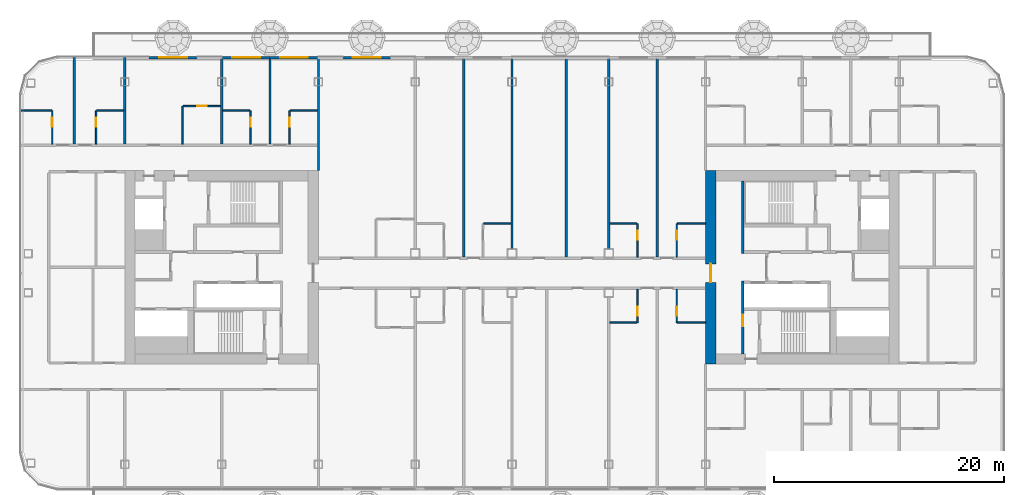
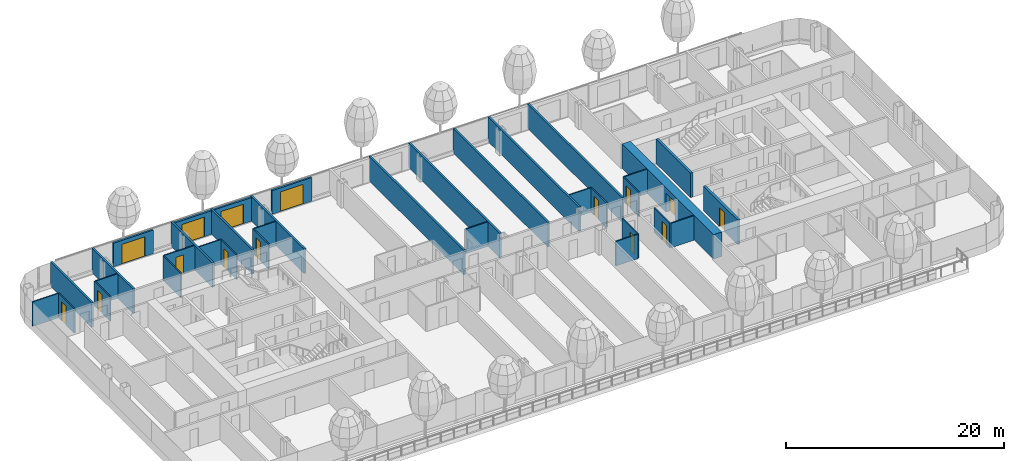
# One storey, part 13 of 30: 36 walls, 15 doors, 15 openings, 1 element without a shape of its own.
"""IFC4 building model written with IfcOpenShell, lengths in metres."""

from ifc_helpers import new_model, si_unit, direction, frame, frame_2d, origin, place, context, subcontext, project, spatial, rectangle, extrude, material, layer, layer_set, type_object, element, fill, aggregate, save


model = new_model("IFC4")

# Units and contexts
model_context = context("Model", 3, precision=1e-05, world=origin(), true_north=direction((0.0, 1.0)))
body_context = subcontext(model_context, "Body", "Model", "MODEL_VIEW")
ifc_project = project(units=[si_unit("LENGTHUNIT", "METRE"), si_unit("AREAUNIT", "SQUARE_METRE"), si_unit("VOLUMEUNIT", "CUBIC_METRE"), si_unit("PLANEANGLEUNIT", "RADIAN"), si_unit("MASSUNIT", "GRAM", prefix="KILO")], contexts=[model_context])

# Site, building, storey
site_placement = place(None, origin())
site = spatial("IfcSite", under=ifc_project, at=site_placement, CompositionType="ELEMENT")
building_placement = place(site_placement, origin())
building = spatial("IfcBuilding", under=site, at=building_placement, Name="Hakoniwa Tower and Hamabe Station Hall", CompositionType="ELEMENT")
storey_placement = place(building_placement, frame((0.0, 0.0, 137.39990234375)))
storey = spatial("IfcBuildingStorey", under=building, at=storey_placement, Name="L38", CompositionType="ELEMENT", Elevation=137.39990234375)

# Walls
ifc_material_1 = material(Name="Gypsum board partition", Category="gypsum")
ifc_layer_1 = layer(ifc_material_1, 0.125)
ifc_layer_set_1 = layer_set([ifc_layer_1], Name="Bathroom Partition 125")
wall_type_1 = type_object("IfcWallType", Name="Bathroom Partition 125", PredefinedType="PARTITIONING", material=ifc_layer_set_1)
wall_1_placement = place(storey_placement, frame((8.5, -4.800048828125, 0.0), z_axis=(0.0, 0.0, 1.0), x_axis=(1.0, 0.0, 0.0)))
element("IfcWall", 1, at=wall_1_placement, inside=storey, type_object=wall_type_1, Name="GW-L38-012", PredefinedType="PARTITIONING", context=body_context, shape_type="SweptSolid", body=[
    extrude(rectangle(XDim=2.33740234375, YDim=0.125, at=frame_2d((1.168701171875, 0.0))), origin(), (0.0, 0.0, 1.0), 2.75),
])
wall_2_placement = place(storey_placement, frame((14.362548828125, -4.800048828125, 0.0), z_axis=(0.0, 0.0, 1.0), x_axis=(1.0, 0.0, 0.0)))
element("IfcWall", 2, at=wall_2_placement, inside=storey, type_object=wall_type_1, Name="GW-L38-013", PredefinedType="PARTITIONING", context=body_context, shape_type="SweptSolid", body=[
    extrude(rectangle(XDim=2.447509765625, YDim=0.125, at=frame_2d((1.2236328125, 0.0))), origin(), (0.0, 0.0, 1.0), 2.75),
])
for number, where, z_axis, x_axis, name in (
    (3, (-2.4375, 3.800048828125, 0.0), (0.0, 0.0, 1.0), (1.0, 0.0, 0.0), "GW-L38-019"),
    (4, (8.5, 3.800048828125, 0.0), (0.0, 0.0, 1.0), (1.0, 0.0, 0.0), "GW-L38-020"),
):
    element("IfcWall", number, at=place(storey_placement, frame(where, z_axis=z_axis, x_axis=x_axis)), inside=storey, type_object=wall_type_1, Name=name, PredefinedType="PARTITIONING", context=body_context, shape_type="SweptSolid", body=[
        extrude(rectangle(XDim=2.33740234375, YDim=0.125, at=frame_2d((1.168701171875, 0.0))), origin(), (0.0, 0.0, 1.0), 2.75),
    ])
wall_3_placement = place(storey_placement, frame((14.362548828125, 3.800048828125, 0.0), z_axis=(0.0, 0.0, 1.0), x_axis=(1.0, 0.0, 0.0)))
element("IfcWall", 5, at=wall_3_placement, inside=storey, type_object=wall_type_1, Name="GW-L38-021", PredefinedType="PARTITIONING", context=body_context, shape_type="SweptSolid", body=[
    extrude(rectangle(XDim=2.447509765625, YDim=0.125, at=frame_2d((1.2236328125, 0.0))), origin(), (0.0, 0.0, 1.0), 2.75),
])
wall_4_placement = place(storey_placement, frame((-42.699951171875, 13.60009765625, 0.0), z_axis=(0.0, 0.0, 1.0), x_axis=(1.0, 0.0, 0.0)))
element("IfcWall", 6, at=wall_4_placement, inside=storey, type_object=wall_type_1, Name="GW-L38-027", PredefinedType="PARTITIONING", context=body_context, shape_type="SweptSolid", body=[
    extrude(rectangle(XDim=2.737548828125, YDim=0.125, at=frame_2d((1.36865234375, 0.0))), origin(), (0.0, 0.0, 1.0), 2.75),
])
for number, where, z_axis, x_axis, name in (
    (7, (-36.03759765625, 13.60009765625, 0.0), (0.0, 0.0, 1.0), (1.0, 0.0, 0.0), "GW-L38-028"),
    (8, (-25.10009765625, 13.60009765625, 0.0), (0.0, 0.0, 1.0), (1.0, 0.0, 0.0), "GW-L38-029"),
    (9, (-19.237548828125, 13.60009765625, 0.0), (0.0, 0.0, 1.0), (1.0, 0.0, 0.0), "GW-L38-030"),
):
    element("IfcWall", number, at=place(storey_placement, frame(where, z_axis=z_axis, x_axis=x_axis)), inside=storey, type_object=wall_type_1, Name=name, PredefinedType="PARTITIONING", context=body_context, shape_type="SweptSolid", body=[
        extrude(rectangle(XDim=2.337646484375, YDim=0.125, at=frame_2d((1.1689453125, 0.0))), origin(), (0.0, 0.0, 1.0), 2.75),
    ])

# Wall, opening, door
wall_5_placement = place(storey_placement, frame((-28.53759765625, 14.0, 0.0), z_axis=(0.0, 0.0, 1.0), x_axis=(1.0, 0.0, 0.0)))
wall_5 = element("IfcWall", 10, at=wall_5_placement, inside=storey, type_object=wall_type_1, Name="GW-L38-033", PredefinedType="PARTITIONING", context=body_context, shape_type="SweptSolid", body=[
    extrude(rectangle(XDim=3.237548828125, YDim=0.125, at=frame_2d((1.61865234375, 0.0))), origin(), (0.0, 0.0, 1.0), 2.75),
])
opening_1_placement = place(wall_5_placement, frame((1.237548828125, 0.0, 0.0)))
opening_1 = element("IfcOpeningElement", 11, at=opening_1_placement, cuts=wall_5, Name="Opening GD-G3C0-44", PredefinedType="OPENING", context=body_context, shape_type="SweptSolid", body=[
    extrude(rectangle(XDim=0.800048828125, YDim=2.10009765625, at=frame_2d((0.39990234375, 1.050048828125))), frame((0.0, 0.072509765625, 0.0), z_axis=(0.0, -1.0, 0.0), x_axis=(1.0, 0.0, 0.0)), (0.0, 0.0, 1.0), 0.14501953125),
])
ifc_material_2 = material(Name="Timber door leaf", Category="wood")
door_type_1 = type_object("IfcDoorType", Name="Bathroom Door 800", OperationType="SINGLE_SWING_LEFT", PredefinedType="DOOR", material=ifc_material_2)
door_1_placement = place(opening_1_placement, origin())
door_1 = element("IfcDoor", 12, at=door_1_placement, inside=storey, type_object=door_type_1, Name="Door GD-G3C0-44", OperationType="SINGLE_SWING_LEFT", OverallHeight=2.10009765625, OverallWidth=0.800048828125, PredefinedType="DOOR", context=body_context, shape_type="SweptSolid", body=[
    extrude(rectangle(XDim=0.800048828125, YDim=2.10009765625, at=frame_2d((0.39990234375, 1.050048828125))), frame((0.0, 0.02490234375, 0.0), z_axis=(0.0, -1.0, 0.0), x_axis=(1.0, 0.0, 0.0)), (0.0, 0.0, 1.0), 0.050048828125),
])
fill(opening_1, door_1)

wall_6_placement = place(storey_placement, frame((-39.89990234375, 10.699951171875, 0.0), z_axis=(0.0, 0.0, 1.0), x_axis=(0.0, 1.0, 0.0)))
wall_6 = element("IfcWall", 13, at=wall_6_placement, inside=storey, type_object=wall_type_1, Name="GW-L38-037", PredefinedType="PARTITIONING", context=body_context, shape_type="SweptSolid", body=[
    extrude(rectangle(XDim=2.900146484375, YDim=0.125, at=frame_2d((1.4501953125, 0.0))), origin(), (0.0, 0.0, 1.0), 2.75),
])
opening_2_placement = place(wall_6_placement, frame((1.5, 0.0, 0.0)))
opening_2 = element("IfcOpeningElement", 14, at=opening_2_placement, cuts=wall_6, Name="Opening GD-G3C0-47", PredefinedType="OPENING", context=body_context, shape_type="SweptSolid", body=[
    extrude(rectangle(XDim=0.800048828125, YDim=2.10009765625, at=frame_2d((0.39990234375, 1.050048828125))), frame((0.0, 0.072509765625, 0.0), z_axis=(0.0, -1.0, 0.0), x_axis=(1.0, 0.0, 0.0)), (0.0, 0.0, 1.0), 0.14501953125),
])
door_2_placement = place(opening_2_placement, origin())
door_2 = element("IfcDoor", 15, at=door_2_placement, inside=storey, type_object=door_type_1, Name="Door GD-G3C0-47", OperationType="SINGLE_SWING_LEFT", OverallHeight=2.10009765625, OverallWidth=0.800048828125, PredefinedType="DOOR", context=body_context, shape_type="SweptSolid", body=[
    extrude(rectangle(XDim=0.800048828125, YDim=2.10009765625, at=frame_2d((0.39990234375, 1.050048828125))), frame((0.0, 0.02490234375, 0.0), z_axis=(0.0, -1.0, 0.0), x_axis=(1.0, 0.0, 0.0)), (0.0, 0.0, 1.0), 0.050048828125),
])
fill(opening_2, door_2)

wall_7_placement = place(storey_placement, frame((-36.10009765625, 10.699951171875, 0.0), z_axis=(0.0, 0.0, 1.0), x_axis=(0.0, 1.0, 0.0)))
wall_7 = element("IfcWall", 16, at=wall_7_placement, inside=storey, type_object=wall_type_1, Name="GW-L38-042", PredefinedType="PARTITIONING", context=body_context, shape_type="SweptSolid", body=[
    extrude(rectangle(XDim=2.900146484375, YDim=0.125, at=frame_2d((1.4501953125, 0.0))), origin(), (0.0, 0.0, 1.0), 2.75),
])
opening_3_placement = place(wall_7_placement, frame((1.5, 0.0, 0.0)))
opening_3 = element("IfcOpeningElement", 17, at=opening_3_placement, cuts=wall_7, Name="Opening GD-G3C0-48", PredefinedType="OPENING", context=body_context, shape_type="SweptSolid", body=[
    extrude(rectangle(XDim=0.800048828125, YDim=2.10009765625, at=frame_2d((0.39990234375, 1.050048828125))), frame((0.0, 0.072509765625, 0.0), z_axis=(0.0, -1.0, 0.0), x_axis=(1.0, 0.0, 0.0)), (0.0, 0.0, 1.0), 0.14501953125),
])
door_3_placement = place(opening_3_placement, origin())
door_3 = element("IfcDoor", 18, at=door_3_placement, inside=storey, type_object=door_type_1, Name="Door GD-G3C0-48", OperationType="SINGLE_SWING_RIGHT", OverallHeight=2.10009765625, OverallWidth=0.800048828125, PredefinedType="DOOR", context=body_context, shape_type="SweptSolid", body=[
    extrude(rectangle(XDim=0.800048828125, YDim=2.10009765625, at=frame_2d((0.39990234375, 1.050048828125))), frame((0.0, 0.02490234375, 0.0), z_axis=(0.0, -1.0, 0.0), x_axis=(1.0, 0.0, 0.0)), (0.0, 0.0, 1.0), 0.050048828125),
])
fill(opening_3, door_3)

# Wall
wall_8_placement = place(storey_placement, frame((-28.60009765625, 10.699951171875, 0.0), z_axis=(0.0, 0.0, 1.0), x_axis=(0.0, 1.0, 0.0)))
element("IfcWall", 19, at=wall_8_placement, inside=storey, type_object=wall_type_1, Name="GW-L38-045", PredefinedType="PARTITIONING", context=body_context, shape_type="SweptSolid", body=[
    extrude(rectangle(XDim=3.300048828125, YDim=0.125, at=frame_2d((1.64990234375, 0.0))), origin(), (0.0, 0.0, 1.0), 2.75),
])

# Wall, opening, door
wall_9_placement = place(storey_placement, frame((-22.699951171875, 10.699951171875, 0.0), z_axis=(0.0, 0.0, 1.0), x_axis=(0.0, 1.0, 0.0)))
wall_9 = element("IfcWall", 20, at=wall_9_placement, inside=storey, type_object=wall_type_1, Name="GW-L38-048", PredefinedType="PARTITIONING", context=body_context, shape_type="SweptSolid", body=[
    extrude(rectangle(XDim=2.900146484375, YDim=0.125, at=frame_2d((1.4501953125, 0.0))), origin(), (0.0, 0.0, 1.0), 2.75),
])
opening_4_placement = place(wall_9_placement, frame((1.5, 0.0, 0.0)))
opening_4 = element("IfcOpeningElement", 21, at=opening_4_placement, cuts=wall_9, Name="Opening GD-G3C0-49", PredefinedType="OPENING", context=body_context, shape_type="SweptSolid", body=[
    extrude(rectangle(XDim=0.800048828125, YDim=2.10009765625, at=frame_2d((0.39990234375, 1.050048828125))), frame((0.0, 0.072509765625, 0.0), z_axis=(0.0, -1.0, 0.0), x_axis=(1.0, 0.0, 0.0)), (0.0, 0.0, 1.0), 0.14501953125),
])
door_4_placement = place(opening_4_placement, origin())
door_4 = element("IfcDoor", 22, at=door_4_placement, inside=storey, type_object=door_type_1, Name="Door GD-G3C0-49", OperationType="SINGLE_SWING_LEFT", OverallHeight=2.10009765625, OverallWidth=0.800048828125, PredefinedType="DOOR", context=body_context, shape_type="SweptSolid", body=[
    extrude(rectangle(XDim=0.800048828125, YDim=2.10009765625, at=frame_2d((0.39990234375, 1.050048828125))), frame((0.0, 0.02490234375, 0.0), z_axis=(0.0, -1.0, 0.0), x_axis=(1.0, 0.0, 0.0)), (0.0, 0.0, 1.0), 0.050048828125),
])
fill(opening_4, door_4)

wall_10_placement = place(storey_placement, frame((-19.300048828125, 10.699951171875, 0.0), z_axis=(0.0, 0.0, 1.0), x_axis=(0.0, 1.0, 0.0)))
wall_10 = element("IfcWall", 23, at=wall_10_placement, inside=storey, type_object=wall_type_1, Name="GW-L38-050", PredefinedType="PARTITIONING", context=body_context, shape_type="SweptSolid", body=[
    extrude(rectangle(XDim=2.900146484375, YDim=0.125, at=frame_2d((1.4501953125, 0.0))), origin(), (0.0, 0.0, 1.0), 2.75),
])
opening_5_placement = place(wall_10_placement, frame((1.5, 0.0, 0.0)))
opening_5 = element("IfcOpeningElement", 24, at=opening_5_placement, cuts=wall_10, Name="Opening GD-G3C0-50", PredefinedType="OPENING", context=body_context, shape_type="SweptSolid", body=[
    extrude(rectangle(XDim=0.800048828125, YDim=2.10009765625, at=frame_2d((0.39990234375, 1.050048828125))), frame((0.0, 0.072509765625, 0.0), z_axis=(0.0, -1.0, 0.0), x_axis=(1.0, 0.0, 0.0)), (0.0, 0.0, 1.0), 0.14501953125),
])
door_5_placement = place(opening_5_placement, origin())
door_5 = element("IfcDoor", 25, at=door_5_placement, inside=storey, type_object=door_type_1, Name="Door GD-G3C0-50", OperationType="SINGLE_SWING_RIGHT", OverallHeight=2.10009765625, OverallWidth=0.800048828125, PredefinedType="DOOR", context=body_context, shape_type="SweptSolid", body=[
    extrude(rectangle(XDim=0.800048828125, YDim=2.10009765625, at=frame_2d((0.39990234375, 1.050048828125))), frame((0.0, 0.02490234375, 0.0), z_axis=(0.0, -1.0, 0.0), x_axis=(1.0, 0.0, 0.0)), (0.0, 0.0, 1.0), 0.050048828125),
])
fill(opening_5, door_5)

wall_11_placement = place(storey_placement, frame((10.89990234375, -4.800048828125, 0.0), z_axis=(0.0, 0.0, 1.0), x_axis=(0.0, 1.0, 0.0)))
wall_11 = element("IfcWall", 26, at=wall_11_placement, inside=storey, type_object=wall_type_1, Name="GW-L38-069", PredefinedType="PARTITIONING", context=body_context, shape_type="SweptSolid", body=[
    extrude(rectangle(XDim=2.900146484375, YDim=0.125, at=frame_2d((1.4501953125, 0.0))), origin(), (0.0, 0.0, 1.0), 2.75),
])
opening_6_placement = place(wall_11_placement, frame((0.60009765625, 0.0, 0.0)))
opening_6 = element("IfcOpeningElement", 27, at=opening_6_placement, cuts=wall_11, Name="Opening GD-G3C0-55", PredefinedType="OPENING", context=body_context, shape_type="SweptSolid", body=[
    extrude(rectangle(XDim=0.800048828125, YDim=2.10009765625, at=frame_2d((0.39990234375, 1.050048828125))), frame((0.0, 0.072509765625, 0.0), z_axis=(0.0, -1.0, 0.0), x_axis=(1.0, 0.0, 0.0)), (0.0, 0.0, 1.0), 0.14501953125),
])
door_6_placement = place(opening_6_placement, origin())
door_6 = element("IfcDoor", 28, at=door_6_placement, inside=storey, type_object=door_type_1, Name="Door GD-G3C0-55", OperationType="SINGLE_SWING_RIGHT", OverallHeight=2.10009765625, OverallWidth=0.800048828125, PredefinedType="DOOR", context=body_context, shape_type="SweptSolid", body=[
    extrude(rectangle(XDim=0.800048828125, YDim=2.10009765625, at=frame_2d((0.39990234375, 1.050048828125))), frame((0.0, 0.02490234375, 0.0), z_axis=(0.0, -1.0, 0.0), x_axis=(1.0, 0.0, 0.0)), (0.0, 0.0, 1.0), 0.050048828125),
])
fill(opening_6, door_6)

wall_12_placement = place(storey_placement, frame((10.89990234375, 0.89990234375, 0.0), z_axis=(0.0, 0.0, 1.0), x_axis=(0.0, 1.0, 0.0)))
wall_12 = element("IfcWall", 29, at=wall_12_placement, inside=storey, type_object=wall_type_1, Name="GW-L38-070", PredefinedType="PARTITIONING", context=body_context, shape_type="SweptSolid", body=[
    extrude(rectangle(XDim=2.900146484375, YDim=0.125, at=frame_2d((1.4501953125, 0.0))), origin(), (0.0, 0.0, 1.0), 2.75),
])
opening_7_placement = place(wall_12_placement, frame((1.5, 0.0, 0.0)))
opening_7 = element("IfcOpeningElement", 30, at=opening_7_placement, cuts=wall_12, Name="Opening GD-G3C0-56", PredefinedType="OPENING", context=body_context, shape_type="SweptSolid", body=[
    extrude(rectangle(XDim=0.800048828125, YDim=2.10009765625, at=frame_2d((0.39990234375, 1.050048828125))), frame((0.0, 0.072509765625, 0.0), z_axis=(0.0, -1.0, 0.0), x_axis=(1.0, 0.0, 0.0)), (0.0, 0.0, 1.0), 0.14501953125),
])
door_7_placement = place(opening_7_placement, origin())
door_7 = element("IfcDoor", 31, at=door_7_placement, inside=storey, type_object=door_type_1, Name="Door GD-G3C0-56", OperationType="SINGLE_SWING_LEFT", OverallHeight=2.10009765625, OverallWidth=0.800048828125, PredefinedType="DOOR", context=body_context, shape_type="SweptSolid", body=[
    extrude(rectangle(XDim=0.800048828125, YDim=2.10009765625, at=frame_2d((0.39990234375, 1.050048828125))), frame((0.0, 0.02490234375, 0.0), z_axis=(0.0, -1.0, 0.0), x_axis=(1.0, 0.0, 0.0)), (0.0, 0.0, 1.0), 0.050048828125),
])
fill(opening_7, door_7)

wall_13_placement = place(storey_placement, frame((14.300048828125, -4.800048828125, 0.0), z_axis=(0.0, 0.0, 1.0), x_axis=(0.0, 1.0, 0.0)))
wall_13 = element("IfcWall", 32, at=wall_13_placement, inside=storey, type_object=wall_type_1, Name="GW-L38-073", PredefinedType="PARTITIONING", context=body_context, shape_type="SweptSolid", body=[
    extrude(rectangle(XDim=2.900146484375, YDim=0.125, at=frame_2d((1.4501953125, 0.0))), origin(), (0.0, 0.0, 1.0), 2.75),
])
opening_8_placement = place(wall_13_placement, frame((0.60009765625, 0.0, 0.0)))
opening_8 = element("IfcOpeningElement", 33, at=opening_8_placement, cuts=wall_13, Name="Opening GD-G3C0-57", PredefinedType="OPENING", context=body_context, shape_type="SweptSolid", body=[
    extrude(rectangle(XDim=0.800048828125, YDim=2.10009765625, at=frame_2d((0.39990234375, 1.050048828125))), frame((0.0, 0.072509765625, 0.0), z_axis=(0.0, -1.0, 0.0), x_axis=(1.0, 0.0, 0.0)), (0.0, 0.0, 1.0), 0.14501953125),
])
door_8_placement = place(opening_8_placement, origin())
door_8 = element("IfcDoor", 34, at=door_8_placement, inside=storey, type_object=door_type_1, Name="Door GD-G3C0-57", OperationType="SINGLE_SWING_LEFT", OverallHeight=2.10009765625, OverallWidth=0.800048828125, PredefinedType="DOOR", context=body_context, shape_type="SweptSolid", body=[
    extrude(rectangle(XDim=0.800048828125, YDim=2.10009765625, at=frame_2d((0.39990234375, 1.050048828125))), frame((0.0, 0.02490234375, 0.0), z_axis=(0.0, -1.0, 0.0), x_axis=(1.0, 0.0, 0.0)), (0.0, 0.0, 1.0), 0.050048828125),
])
fill(opening_8, door_8)

wall_14_placement = place(storey_placement, frame((14.300048828125, 0.89990234375, 0.0), z_axis=(0.0, 0.0, 1.0), x_axis=(0.0, 1.0, 0.0)))
wall_14 = element("IfcWall", 35, at=wall_14_placement, inside=storey, type_object=wall_type_1, Name="GW-L38-074", PredefinedType="PARTITIONING", context=body_context, shape_type="SweptSolid", body=[
    extrude(rectangle(XDim=2.900146484375, YDim=0.125, at=frame_2d((1.4501953125, 0.0))), origin(), (0.0, 0.0, 1.0), 2.75),
])
opening_9_placement = place(wall_14_placement, frame((1.5, 0.0, 0.0)))
opening_9 = element("IfcOpeningElement", 36, at=opening_9_placement, cuts=wall_14, Name="Opening GD-G3C0-58", PredefinedType="OPENING", context=body_context, shape_type="SweptSolid", body=[
    extrude(rectangle(XDim=0.800048828125, YDim=2.10009765625, at=frame_2d((0.39990234375, 1.050048828125))), frame((0.0, 0.072509765625, 0.0), z_axis=(0.0, -1.0, 0.0), x_axis=(1.0, 0.0, 0.0)), (0.0, 0.0, 1.0), 0.14501953125),
])
door_9_placement = place(opening_9_placement, origin())
door_9 = element("IfcDoor", 37, at=door_9_placement, inside=storey, type_object=door_type_1, Name="Door GD-G3C0-58", OperationType="SINGLE_SWING_RIGHT", OverallHeight=2.10009765625, OverallWidth=0.800048828125, PredefinedType="DOOR", context=body_context, shape_type="SweptSolid", body=[
    extrude(rectangle(XDim=0.800048828125, YDim=2.10009765625, at=frame_2d((0.39990234375, 1.050048828125))), frame((0.0, 0.02490234375, 0.0), z_axis=(0.0, -1.0, 0.0), x_axis=(1.0, 0.0, 0.0)), (0.0, 0.0, 1.0), 0.050048828125),
])
fill(opening_9, door_9)

ifc_material_3 = material(Name="Concrete C66", Category="concrete")
ifc_layer_2 = layer(ifc_material_3, 0.89990234375)
ifc_layer_set_2 = layer_set([ifc_layer_2], Name="CORE WALL 900 C66")
wall_type_2 = type_object("IfcWallType", Name="CORE WALL 900 C66", PredefinedType="SHEAR", material=ifc_layer_set_2)
wall_15_placement = place(storey_placement, frame((17.25, -8.39990234375, 0.0), z_axis=(0.0, 0.0, 1.0), x_axis=(0.0, 1.0, 0.0)))
wall_15 = element("IfcWall", 38, at=wall_15_placement, inside=storey, type_object=wall_type_2, Name="Core wall INNER east", PredefinedType="SHEAR", context=body_context, shape_type="SweptSolid", body=[
    extrude(rectangle(XDim=16.7998046875, YDim=0.89990234375, at=frame_2d((8.39990234375, 0.0))), origin(), (0.0, 0.0, 1.0), 2.75),
])
opening_10_placement = place(wall_15_placement, frame((7.10009765625, 0.0, 0.0)))
opening_10 = element("IfcOpeningElement", 39, at=opening_10_placement, cuts=wall_15, Name="Opening CD-E-IN1-16", PredefinedType="OPENING", context=body_context, shape_type="SweptSolid", body=[
    extrude(rectangle(XDim=1.60009765625, YDim=2.10009765625, at=frame_2d((0.800048828125, 1.050048828125))), frame((0.0, 0.4599609375, 0.0), z_axis=(0.0, -1.0, 0.0), x_axis=(1.0, 0.0, 0.0)), (0.0, 0.0, 1.0), 0.919921875),
])
ifc_material_4 = material(Name="Steel fire door", Category="steel")
door_type_2 = type_object("IfcDoorType", Name="CORE DOOR 1600 FD60", OperationType="DOUBLE_DOOR_SINGLE_SWING", PredefinedType="DOOR", material=ifc_material_4)
door_10_placement = place(opening_10_placement, origin())
door_10 = element("IfcDoor", 40, at=door_10_placement, inside=storey, type_object=door_type_2, Name="Lift lobby door", OperationType="DOUBLE_DOOR_SINGLE_SWING", OverallHeight=2.10009765625, OverallWidth=1.60009765625, PredefinedType="DOOR", context=body_context, shape_type="SweptSolid", body=[
    extrude(rectangle(XDim=1.60009765625, YDim=2.10009765625, at=frame_2d((0.800048828125, 1.050048828125))), frame((0.0, 0.02490234375, 0.0), z_axis=(0.0, -1.0, 0.0), x_axis=(1.0, 0.0, 0.0)), (0.0, 0.0, 1.0), 0.050048828125),
])
fill(opening_10, door_10)

# Wall
ifc_material_5 = material(Name="Concrete C66", Category="concrete")
ifc_layer_3 = layer(ifc_material_5, 0.25)
ifc_layer_set_3 = layer_set([ifc_layer_3], Name="CORE WEB WALL 250 C66")
wall_type_3 = type_object("IfcWallType", Name="CORE WEB WALL 250 C66", PredefinedType="SHEAR", material=ifc_layer_set_3)
wall_16_placement = place(storey_placement, frame((20.02490234375, 1.199951171875, 0.0), z_axis=(0.0, 0.0, 1.0), x_axis=(0.0, 1.0, 0.0)))
element("IfcWall", 41, at=wall_16_placement, inside=storey, type_object=wall_type_3, Name="Core wall W1N east", PredefinedType="SHEAR", context=body_context, shape_type="SweptSolid", body=[
    extrude(rectangle(XDim=6.300048828125, YDim=0.25, at=frame_2d((3.14990234375, 0.0))), origin(), (0.0, 0.0, 1.0), 2.75),
])

# Wall, opening, door
wall_17_placement = place(storey_placement, frame((20.02490234375, -7.5, 0.0), z_axis=(0.0, 0.0, 1.0), x_axis=(0.0, 1.0, 0.0)))
wall_17 = element("IfcWall", 42, at=wall_17_placement, inside=storey, type_object=wall_type_3, Name="Core wall W1S east", PredefinedType="SHEAR", context=body_context, shape_type="SweptSolid", body=[
    extrude(rectangle(XDim=6.300048828125, YDim=0.25, at=frame_2d((3.14990234375, 0.0))), origin(), (0.0, 0.0, 1.0), 2.75),
])
opening_11_placement = place(wall_17_placement, frame((2.39990234375, 0.0, 0.0)))
opening_11 = element("IfcOpeningElement", 43, at=opening_11_placement, cuts=wall_17, Name="Opening CD-E-VS-10", PredefinedType="OPENING", context=body_context, shape_type="SweptSolid", body=[
    extrude(rectangle(XDim=1.0, YDim=2.10009765625, at=frame_2d((0.5, 1.050048828125))), frame((0.0, 0.135009765625, 0.0), z_axis=(0.0, -1.0, 0.0), x_axis=(1.0, 0.0, 0.0)), (0.0, 0.0, 1.0), 0.27001953125),
])
ifc_material_6 = material(Name="Steel fire door", Category="steel")
door_type_3 = type_object("IfcDoorType", Name="CORE DOOR 1000 FD60", OperationType="NOTDEFINED", PredefinedType="DOOR", material=ifc_material_6)
door_11_placement = place(opening_11_placement, origin())
door_11 = element("IfcDoor", 44, at=door_11_placement, inside=storey, type_object=door_type_3, Name="Stair vestibule door", OperationType="SINGLE_SWING_RIGHT", OverallHeight=2.10009765625, OverallWidth=1.0, PredefinedType="DOOR", context=body_context, shape_type="SweptSolid", body=[
    extrude(rectangle(XDim=1.0, YDim=2.10009765625, at=frame_2d((0.5, 1.050048828125))), frame((0.0, 0.02490234375, 0.0), z_axis=(0.0, -1.0, 0.0), x_axis=(1.0, 0.0, 0.0)), (0.0, 0.0, 1.0), 0.050048828125),
])
fill(opening_11, door_11)

# Curtain wall, walls, openings, doors
ifc_material_7 = material(Name="Dark low-e laminated glass", Category="glass")
ifc_layer_4 = layer(ifc_material_7, 0.199951171875)
ifc_layer_set_4 = layer_set([ifc_layer_4], Name="CW-1 UNITISED GUEST")
curtain_wall_type = type_object("IfcCurtainWallType", Name="CW-1 UNITISED GUEST", PredefinedType="NOTDEFINED", material=ifc_layer_set_4)
curtain_wall_placement = place(storey_placement, origin())
curtain_wall = element("IfcCurtainWall", 45, at=curtain_wall_placement, inside=storey, type_object=curtain_wall_type, Name="CW-1 curtain wall", PredefinedType="NOTDEFINED")
ifc_material_8 = material(Name="Dark glass-faced aluminium panel", Category="aluminium")
ifc_layer_5 = layer(ifc_material_8, 0.199951171875)
ifc_layer_set_5 = layer_set([ifc_layer_5], Name="DOOR BAY WALL")
wall_type_4 = type_object("IfcWallType", Name="DOOR BAY WALL", PredefinedType="NOTDEFINED", material=ifc_layer_set_5)
wall_18_placement = place(storey_placement, frame((-10.489990234375, 18.199951171875, 0.0), z_axis=(0.0, 0.0, 1.0), x_axis=(-1.0, 0.0, 0.0)))
wall_18 = element("IfcWall", 46, at=wall_18_placement, type_object=wall_type_4, Name="Door bay wall", PredefinedType="NOTDEFINED", context=body_context, shape_type="SweptSolid", body=[
    extrude(rectangle(XDim=4.219970703125, YDim=0.199951171875, at=frame_2d((2.10986328125, 0.0))), origin(), (0.0, 0.0, 1.0), 2.650146484375),
])
opening_12_placement = place(wall_18_placement, frame((0.909912109375, 0.0, 0.0)))
opening_12 = element("IfcOpeningElement", 47, at=opening_12_placement, cuts=wall_18, Name="Opening BD-N03-1", PredefinedType="OPENING", context=body_context, shape_type="SweptSolid", body=[
    extrude(rectangle(XDim=2.39990234375, YDim=2.199951171875, at=frame_2d((1.199951171875, 1.10009765625))), frame((0.0, 0.10986328125, 0.0), z_axis=(0.0, -1.0, 0.0), x_axis=(1.0, 0.0, 0.0)), (0.0, 0.0, 1.0), 0.219970703125),
])
ifc_material_9 = material(Name="Dark low-e laminated glass", Category="glass")
door_type_4 = type_object("IfcDoorType", Name="BALCONY SLIDING DOOR 2400X2200", OperationType="SLIDING_TO_LEFT", PredefinedType="DOOR", material=ifc_material_9)
door_12_placement = place(opening_12_placement, frame((2.39990234375, 0.0, 0.0), z_axis=(0.0, 0.0, 1.0), x_axis=(-1.0, 0.0, 0.0)))
door_12 = element("IfcDoor", 48, at=door_12_placement, inside=storey, type_object=door_type_4, Name="Balcony sliding door", OperationType="SLIDING_TO_LEFT", OverallHeight=2.199951171875, OverallWidth=2.39990234375, PredefinedType="DOOR", context=body_context, shape_type="SweptSolid", body=[
    extrude(rectangle(XDim=2.39990234375, YDim=2.199951171875, at=frame_2d((1.199951171875, 1.10009765625))), frame((0.0, 0.02490234375, 0.0), z_axis=(0.0, -1.0, 0.0), x_axis=(1.0, 0.0, 0.0)), (0.0, 0.0, 1.0), 0.050048828125),
])
fill(opening_12, door_12)
wall_19_placement = place(storey_placement, frame((-16.820068359375, 18.199951171875, 0.0), z_axis=(0.0, 0.0, 1.0), x_axis=(-1.0, 0.0, 0.0)))
wall_19 = element("IfcWall", 49, at=wall_19_placement, type_object=wall_type_4, Name="Door bay wall", PredefinedType="NOTDEFINED", context=body_context, shape_type="SweptSolid", body=[
    extrude(rectangle(XDim=4.219970703125, YDim=0.199951171875, at=frame_2d((2.10986328125, 0.0))), origin(), (0.0, 0.0, 1.0), 2.650146484375),
])
opening_13_placement = place(wall_19_placement, frame((0.909912109375, 0.0, 0.0)))
opening_13 = element("IfcOpeningElement", 50, at=opening_13_placement, cuts=wall_19, Name="Opening BD-N03-19", PredefinedType="OPENING", context=body_context, shape_type="SweptSolid", body=[
    extrude(rectangle(XDim=2.39990234375, YDim=2.199951171875, at=frame_2d((1.199951171875, 1.10009765625))), frame((0.0, 0.10986328125, 0.0), z_axis=(0.0, -1.0, 0.0), x_axis=(1.0, 0.0, 0.0)), (0.0, 0.0, 1.0), 0.219970703125),
])
door_13_placement = place(opening_13_placement, frame((2.39990234375, 0.0, 0.0), z_axis=(0.0, 0.0, 1.0), x_axis=(-1.0, 0.0, 0.0)))
door_13 = element("IfcDoor", 51, at=door_13_placement, inside=storey, type_object=door_type_4, Name="Balcony sliding door", OperationType="SLIDING_TO_LEFT", OverallHeight=2.199951171875, OverallWidth=2.39990234375, PredefinedType="DOOR", context=body_context, shape_type="SweptSolid", body=[
    extrude(rectangle(XDim=2.39990234375, YDim=2.199951171875, at=frame_2d((1.199951171875, 1.10009765625))), frame((0.0, 0.02490234375, 0.0), z_axis=(0.0, -1.0, 0.0), x_axis=(1.0, 0.0, 0.0)), (0.0, 0.0, 1.0), 0.050048828125),
])
fill(opening_13, door_13)
wall_20_placement = place(storey_placement, frame((-20.9599609375, 18.199951171875, 0.0), z_axis=(0.0, 0.0, 1.0), x_axis=(-1.0, 0.0, 0.0)))
wall_20 = element("IfcWall", 52, at=wall_20_placement, type_object=wall_type_4, Name="Door bay wall", PredefinedType="NOTDEFINED", context=body_context, shape_type="SweptSolid", body=[
    extrude(rectangle(XDim=4.219970703125, YDim=0.199951171875, at=frame_2d((2.10986328125, 0.0))), origin(), (0.0, 0.0, 1.0), 2.650146484375),
])
opening_14_placement = place(wall_20_placement, frame((0.909912109375, 0.0, 0.0)))
opening_14 = element("IfcOpeningElement", 53, at=opening_14_placement, cuts=wall_20, Name="Opening BD-N03-18", PredefinedType="OPENING", context=body_context, shape_type="SweptSolid", body=[
    extrude(rectangle(XDim=2.39990234375, YDim=2.199951171875, at=frame_2d((1.199951171875, 1.10009765625))), frame((0.0, 0.10986328125, 0.0), z_axis=(0.0, -1.0, 0.0), x_axis=(1.0, 0.0, 0.0)), (0.0, 0.0, 1.0), 0.219970703125),
])
door_14_placement = place(opening_14_placement, frame((2.39990234375, 0.0, 0.0), z_axis=(0.0, 0.0, 1.0), x_axis=(-1.0, 0.0, 0.0)))
door_14 = element("IfcDoor", 54, at=door_14_placement, inside=storey, type_object=door_type_4, Name="Balcony sliding door", OperationType="SLIDING_TO_LEFT", OverallHeight=2.199951171875, OverallWidth=2.39990234375, PredefinedType="DOOR", context=body_context, shape_type="SweptSolid", body=[
    extrude(rectangle(XDim=2.39990234375, YDim=2.199951171875, at=frame_2d((1.199951171875, 1.10009765625))), frame((0.0, 0.02490234375, 0.0), z_axis=(0.0, -1.0, 0.0), x_axis=(1.0, 0.0, 0.0)), (0.0, 0.0, 1.0), 0.050048828125),
])
fill(opening_14, door_14)
wall_21_placement = place(storey_placement, frame((-27.2900390625, 18.199951171875, 0.0), z_axis=(0.0, 0.0, 1.0), x_axis=(-1.0, 0.0, 0.0)))
wall_21 = element("IfcWall", 55, at=wall_21_placement, type_object=wall_type_4, Name="Door bay wall", PredefinedType="NOTDEFINED", context=body_context, shape_type="SweptSolid", body=[
    extrude(rectangle(XDim=4.219970703125, YDim=0.199951171875, at=frame_2d((2.10986328125, 0.0))), origin(), (0.0, 0.0, 1.0), 2.650146484375),
])
opening_15_placement = place(wall_21_placement, frame((0.909912109375, 0.0, 0.0)))
opening_15 = element("IfcOpeningElement", 56, at=opening_15_placement, cuts=wall_21, Name="Opening BD-N03-17", PredefinedType="OPENING", context=body_context, shape_type="SweptSolid", body=[
    extrude(rectangle(XDim=2.39990234375, YDim=2.199951171875, at=frame_2d((1.199951171875, 1.10009765625))), frame((0.0, 0.10986328125, 0.0), z_axis=(0.0, -1.0, 0.0), x_axis=(1.0, 0.0, 0.0)), (0.0, 0.0, 1.0), 0.219970703125),
])
door_15_placement = place(opening_15_placement, frame((2.39990234375, 0.0, 0.0), z_axis=(0.0, 0.0, 1.0), x_axis=(-1.0, 0.0, 0.0)))
door_15 = element("IfcDoor", 57, at=door_15_placement, inside=storey, type_object=door_type_4, Name="Balcony sliding door", OperationType="SLIDING_TO_LEFT", OverallHeight=2.199951171875, OverallWidth=2.39990234375, PredefinedType="DOOR", context=body_context, shape_type="SweptSolid", body=[
    extrude(rectangle(XDim=2.39990234375, YDim=2.199951171875, at=frame_2d((1.199951171875, 1.10009765625))), frame((0.0, 0.02490234375, 0.0), z_axis=(0.0, -1.0, 0.0), x_axis=(1.0, 0.0, 0.0)), (0.0, 0.0, 1.0), 0.050048828125),
])
fill(opening_15, door_15)
aggregate(curtain_wall, [wall_18, wall_19, wall_20, wall_21])

# Walls
ifc_material_10 = material(Name="Fire-rated gypsum board partition", Category="gypsum")
ifc_layer_6 = layer(ifc_material_10, 0.199951171875)
ifc_layer_set_6 = layer_set([ifc_layer_6], Name="Party Wall 200")
wall_type_5 = type_object("IfcWallType", Name="Party Wall 200", PredefinedType="PARTITIONING", material=ifc_layer_set_6)
for number, where, z_axis, x_axis, name in (
    (58, (-38.0, 10.699951171875, 0.0), (0.0, 0.0, 1.0), (0.0, 1.0, 0.0), "GW-L38-038"),
    (59, (-33.60009765625, 10.699951171875, 0.0), (0.0, 0.0, 1.0), (0.0, 1.0, 0.0), "GW-L38-044"),
    (60, (-25.199951171875, 10.699951171875, 0.0), (0.0, 0.0, 1.0), (0.0, 1.0, 0.0), "GW-L38-047"),
    (61, (-21.0, 10.699951171875, 0.0), (0.0, 0.0, 1.0), (0.0, 1.0, 0.0), "GW-L38-049"),
):
    element("IfcWall", number, at=place(storey_placement, frame(where, z_axis=z_axis, x_axis=x_axis)), inside=storey, type_object=wall_type_5, Name=name, PredefinedType="PARTITIONING", context=body_context, shape_type="SweptSolid", body=[
        extrude(rectangle(XDim=7.60009765625, YDim=0.199951171875, at=frame_2d((3.800048828125, 0.0))), origin(), (0.0, 0.0, 1.0), 2.75),
    ])
wall_22_placement = place(storey_placement, frame((-16.800048828125, 8.389892578125, 0.0), z_axis=(0.0, 0.0, 1.0), x_axis=(0.0, 1.0, 0.0)))
element("IfcWall", 62, at=wall_22_placement, inside=storey, type_object=wall_type_5, Name="GW-L38-052", PredefinedType="PARTITIONING", context=body_context, shape_type="SweptSolid", body=[
    extrude(rectangle(XDim=9.91015625, YDim=0.199951171875, at=frame_2d((4.955078125, 0.0))), origin(), (0.0, 0.0, 1.0), 2.75),
])
wall_23_placement = place(storey_placement, frame((-4.199951171875, 0.89990234375, 0.0), z_axis=(0.0, 0.0, 1.0), x_axis=(0.0, 1.0, 0.0)))
element("IfcWall", 63, at=wall_23_placement, inside=storey, type_object=wall_type_5, Name="GW-L38-060", PredefinedType="PARTITIONING", context=body_context, shape_type="SweptSolid", body=[
    extrude(rectangle(XDim=17.400146484375, YDim=0.199951171875, at=frame_2d((8.7001953125, 0.0))), origin(), (0.0, 0.0, 1.0), 2.75),
])
wall_24_placement = place(storey_placement, frame((0.0, 1.590087890625, 0.0), z_axis=(0.0, 0.0, 1.0), x_axis=(0.0, 1.0, 0.0)))
element("IfcWall", 64, at=wall_24_placement, inside=storey, type_object=wall_type_5, Name="GW-L38-064", PredefinedType="PARTITIONING", context=body_context, shape_type="SweptSolid", body=[
    extrude(rectangle(XDim=16.7099609375, YDim=0.199951171875, at=frame_2d((8.35498046875, 0.0))), origin(), (0.0, 0.0, 1.0), 2.75),
])
wall_25_placement = place(storey_placement, frame((4.699951171875, 0.89990234375, 0.0), z_axis=(0.0, 0.0, 1.0), x_axis=(0.0, 1.0, 0.0)))
element("IfcWall", 65, at=wall_25_placement, inside=storey, type_object=wall_type_5, Name="GW-L38-066", PredefinedType="PARTITIONING", context=body_context, shape_type="SweptSolid", body=[
    extrude(rectangle(XDim=17.400146484375, YDim=0.199951171875, at=frame_2d((8.7001953125, 0.0))), origin(), (0.0, 0.0, 1.0), 2.75),
])
wall_26_placement = place(storey_placement, frame((8.39990234375, 1.590087890625, 0.0), z_axis=(0.0, 0.0, 1.0), x_axis=(0.0, 1.0, 0.0)))
element("IfcWall", 66, at=wall_26_placement, inside=storey, type_object=wall_type_5, Name="GW-L38-068", PredefinedType="PARTITIONING", context=body_context, shape_type="SweptSolid", body=[
    extrude(rectangle(XDim=16.7099609375, YDim=0.199951171875, at=frame_2d((8.35498046875, 0.0))), origin(), (0.0, 0.0, 1.0), 2.75),
])
wall_27_placement = place(storey_placement, frame((12.60009765625, 0.89990234375, 0.0), z_axis=(0.0, 0.0, 1.0), x_axis=(0.0, 1.0, 0.0)))
element("IfcWall", 67, at=wall_27_placement, inside=storey, type_object=wall_type_5, Name="GW-L38-072", PredefinedType="PARTITIONING", context=body_context, shape_type="SweptSolid", body=[
    extrude(rectangle(XDim=17.400146484375, YDim=0.199951171875, at=frame_2d((8.7001953125, 0.0))), origin(), (0.0, 0.0, 1.0), 2.75),
])

save(model, "model.ifc")
